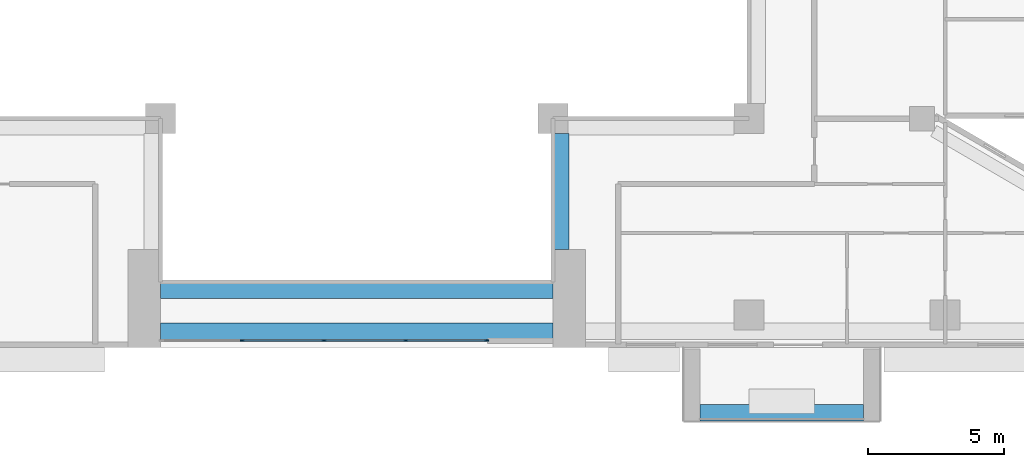
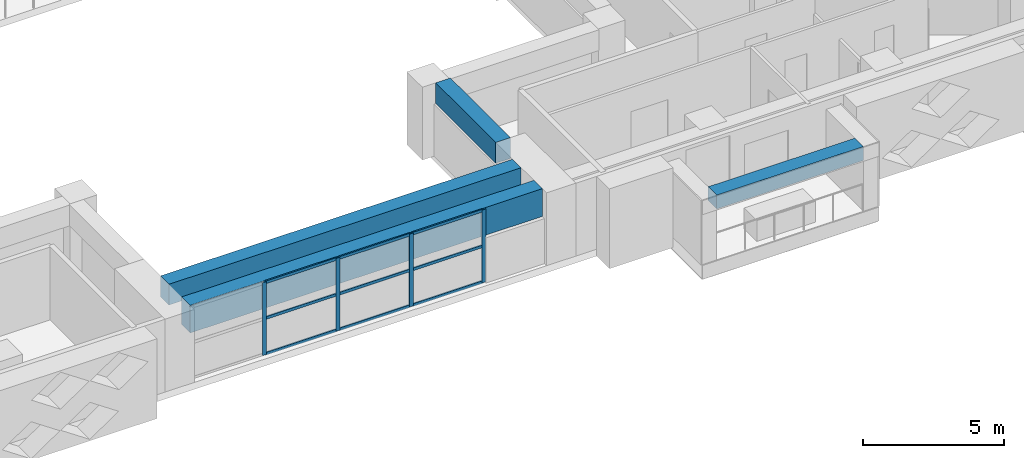
# One storey, part 4 of 19: 13 members, 4 beams, 1 element without a shape of its own.
"""IFC4 building model written with IfcOpenShell, lengths in metres."""

from ifc_helpers import new_model, si_unit, direction, frame, origin, origin_2d, place, context, subcontext, project, spatial, rectangle, extrude, source, transform, mapped, material, layer, layer_set, material_profile, profile_set, type_object, element, aggregate, save


model = new_model("IFC4")

# Units and contexts
model_context = context("Model", 3, precision=1e-05, world=origin(), true_north=direction((0.0, 1.0)))
body_context = subcontext(model_context, "Body", "Model", "MODEL_VIEW")
ifc_project = project(units=[si_unit("LENGTHUNIT", "METRE"), si_unit("AREAUNIT", "SQUARE_METRE"), si_unit("VOLUMEUNIT", "CUBIC_METRE"), si_unit("PLANEANGLEUNIT", "RADIAN"), si_unit("MASSUNIT", "GRAM", prefix="KILO")], contexts=[model_context])

# Site, building, storey
site_placement = place(None, origin())
site = spatial("IfcSite", under=ifc_project, at=site_placement, CompositionType="ELEMENT")
building_placement = place(site_placement, origin())
building = spatial("IfcBuilding", under=site, at=building_placement, Name="Saffron Iwan Residences", CompositionType="ELEMENT")
storey_placement = place(building_placement, frame((0.0, 0.0, 134.0)))
storey = spatial("IfcBuildingStorey", under=building, at=storey_placement, Name="L35", CompositionType="ELEMENT", Elevation=134.0)

# Beams
ifc_material_1 = material(Name="Concrete C50/60", Category="concrete")
ifc_material_profile_1 = material_profile(ifc_material_1, rectangle(XDim=0.60009765625, YDim=1.199951171875, at=origin_2d()), Name="RC 600x1200")
ifc_profile_set_1 = profile_set([ifc_material_profile_1], Name="Concrete C50/60")
beam_type_1 = type_object("IfcBeamType", Name="LINTEL BEAM RC 600x1200 C50/60 TOP 3150", PredefinedType="LINTEL", material=ifc_profile_set_1)
shared_shape_1 = source(origin(), body_context, "Body", "SweptSolid", [
    extrude(rectangle(XDim=0.60009765625, YDim=1.199951171875, at=origin_2d()), origin(), (0.0, 0.0, 1.0), 14.400146484375),
])
beam_1_placement = place(storey_placement, frame((57.60009765625, 40.199951171875, 2.550048828125), z_axis=(-1.0, 0.0, 0.0), x_axis=(0.0, -1.0, 0.0)))
element("IfcBeam", 1, at=beam_1_placement, inside=storey, type_object=beam_type_1, Name="Lintel beam over the iwan", PredefinedType="LINTEL", context=body_context, shape_type="MappedRepresentation", body=[
    mapped(shared_shape_1, transform((0.0, 0.0, 0.0))),
])
ifc_material_profile_2 = material_profile(ifc_material_1, rectangle(XDim=0.60009765625, YDim=0.89990234375, at=origin_2d()), Name="RC 600x900")
ifc_profile_set_2 = profile_set([ifc_material_profile_2], Name="Concrete C50/60")
beam_type_2 = type_object("IfcBeamType", Name="BEAM RC 600x900 C50/60 TOP 3150", PredefinedType="BEAM", material=ifc_profile_set_2)
shared_shape_2 = source(origin(), body_context, "Body", "SweptSolid", [
    extrude(rectangle(XDim=0.60009765625, YDim=0.89990234375, at=origin_2d()), origin(), (0.0, 0.0, 1.0), 14.400146484375),
])
beam_2_placement = place(storey_placement, frame((57.60009765625, 41.699951171875, 2.699951171875), z_axis=(-1.0, 0.0, 0.0), x_axis=(0.0, -1.0, 0.0)))
element("IfcBeam", 2, at=beam_2_placement, inside=storey, type_object=beam_type_2, Name="Atrium edge beam", PredefinedType="BEAM", context=body_context, shape_type="MappedRepresentation", body=[
    mapped(shared_shape_2, transform((0.0, 0.0, 0.0))),
])
shared_shape_3 = source(origin(), body_context, "Body", "SweptSolid", [
    extrude(rectangle(XDim=0.60009765625, YDim=0.89990234375, at=origin_2d()), origin(), (0.0, 0.0, 1.0), 4.25),
])
beam_3_placement = place(storey_placement, frame((57.89990234375, 47.449951171875, 2.699951171875), z_axis=(0.0, -1.0, 0.0), x_axis=(1.0, 0.0, 0.0)))
element("IfcBeam", 3, at=beam_3_placement, inside=storey, type_object=beam_type_2, Name="Atrium edge beam", PredefinedType="BEAM", context=body_context, shape_type="MappedRepresentation", body=[
    mapped(shared_shape_3, transform((0.0, 0.0, 0.0))),
])

# Curtain wall, members
ifc_material_2 = material(Name="Clear glass, laminated double glazed", Category="glass")
ifc_layer = layer(ifc_material_2, 0.199951171875)
ifc_layer_set = layer_set([ifc_layer], Name="Clear glass, laminated double glazed")
curtain_wall_type = type_object("IfcCurtainWallType", Name="CW-B IWAN PORTAL", PredefinedType="NOTDEFINED", material=ifc_layer_set)
curtain_wall_placement = place(storey_placement, origin())
curtain_wall = element("IfcCurtainWall", 4, at=curtain_wall_placement, inside=storey, type_object=curtain_wall_type, Name="Iwan portal glazing L35.1", PredefinedType="NOTDEFINED")
ifc_material_3 = material(Name="Aluminium 6063-T6", Category="aluminium")
ifc_material_profile_3 = material_profile(ifc_material_3, rectangle(XDim=0.06005859375, YDim=0.1201171875, at=origin_2d()), Name="CW-B TRANSOM 60 x 120")
ifc_profile_set_3 = profile_set([ifc_material_profile_3], Name="Aluminium 6063-T6")
member_type_1 = type_object("IfcMemberType", Name="CW-B TRANSOM 60 x 120", PredefinedType="USERDEFINED", material=ifc_profile_set_3)
shared_shape_4 = source(origin(), body_context, "Body", "SweptSolid", [
    extrude(rectangle(XDim=0.06005859375, YDim=0.1201171875, at=origin_2d()), origin(), (0.0, 0.0, 1.0), 2.909912109375),
])
member_1_placement = place(storey_placement, frame((52.22998046875, 39.85009765625, 0.030029296875), z_axis=(1.0, 0.0, 0.0), x_axis=(0.0, 1.0, 0.0)))
member_1 = element("IfcMember", 5, at=member_1_placement, type_object=member_type_1, Name="CW-B transom 4.1", ObjectType="TRANSOM", PredefinedType="USERDEFINED", context=body_context, shape_type="MappedRepresentation", body=[
    mapped(shared_shape_4, transform((0.0, 0.0, 0.0))),
])
member_2_placement = place(storey_placement, frame((52.22998046875, 39.85009765625, 1.574951171875), z_axis=(1.0, 0.0, 0.0), x_axis=(0.0, 1.0, 0.0)))
member_2 = element("IfcMember", 6, at=member_2_placement, type_object=member_type_1, Name="CW-B transom 4.2", ObjectType="TRANSOM", PredefinedType="USERDEFINED", context=body_context, shape_type="MappedRepresentation", body=[
    mapped(shared_shape_4, transform((0.0, 0.0, 0.0))),
])
member_3_placement = place(storey_placement, frame((52.22998046875, 39.85009765625, 3.1201171875), z_axis=(1.0, 0.0, 0.0), x_axis=(0.0, 1.0, 0.0)))
member_3 = element("IfcMember", 7, at=member_3_placement, type_object=member_type_1, Name="CW-B transom 4.3", ObjectType="TRANSOM", PredefinedType="USERDEFINED", context=body_context, shape_type="MappedRepresentation", body=[
    mapped(shared_shape_4, transform((0.0, 0.0, 0.0))),
])
shared_shape_5 = source(origin(), body_context, "Body", "SweptSolid", [
    extrude(rectangle(XDim=0.06005859375, YDim=0.1201171875, at=origin_2d()), origin(), (0.0, 0.0, 1.0), 2.93994140625),
])
member_4_placement = place(storey_placement, frame((46.22998046875, 39.85009765625, 0.030029296875), z_axis=(1.0, 0.0, 0.0), x_axis=(0.0, 1.0, 0.0)))
member_4 = element("IfcMember", 8, at=member_4_placement, type_object=member_type_1, Name="CW-B transom 2.1", ObjectType="TRANSOM", PredefinedType="USERDEFINED", context=body_context, shape_type="MappedRepresentation", body=[
    mapped(shared_shape_5, transform((0.0, 0.0, 0.0))),
])
member_5_placement = place(storey_placement, frame((46.22998046875, 39.85009765625, 1.574951171875), z_axis=(1.0, 0.0, 0.0), x_axis=(0.0, 1.0, 0.0)))
member_5 = element("IfcMember", 9, at=member_5_placement, type_object=member_type_1, Name="CW-B transom 2.2", ObjectType="TRANSOM", PredefinedType="USERDEFINED", context=body_context, shape_type="MappedRepresentation", body=[
    mapped(shared_shape_5, transform((0.0, 0.0, 0.0))),
])
member_6_placement = place(storey_placement, frame((46.22998046875, 39.85009765625, 3.1201171875), z_axis=(1.0, 0.0, 0.0), x_axis=(0.0, 1.0, 0.0)))
member_6 = element("IfcMember", 10, at=member_6_placement, type_object=member_type_1, Name="CW-B transom 2.3", ObjectType="TRANSOM", PredefinedType="USERDEFINED", context=body_context, shape_type="MappedRepresentation", body=[
    mapped(shared_shape_5, transform((0.0, 0.0, 0.0))),
])
member_7_placement = place(storey_placement, frame((49.22998046875, 39.85009765625, 0.030029296875), z_axis=(1.0, 0.0, 0.0), x_axis=(0.0, 1.0, 0.0)))
member_7 = element("IfcMember", 11, at=member_7_placement, type_object=member_type_1, Name="CW-B transom 3.1", ObjectType="TRANSOM", PredefinedType="USERDEFINED", context=body_context, shape_type="MappedRepresentation", body=[
    mapped(shared_shape_5, transform((0.0, 0.0, 0.0))),
])
member_8_placement = place(storey_placement, frame((49.22998046875, 39.85009765625, 1.574951171875), z_axis=(1.0, 0.0, 0.0), x_axis=(0.0, 1.0, 0.0)))
member_8 = element("IfcMember", 12, at=member_8_placement, type_object=member_type_1, Name="CW-B transom 3.2", ObjectType="TRANSOM", PredefinedType="USERDEFINED", context=body_context, shape_type="MappedRepresentation", body=[
    mapped(shared_shape_5, transform((0.0, 0.0, 0.0))),
])
member_9_placement = place(storey_placement, frame((49.22998046875, 39.85009765625, 3.1201171875), z_axis=(1.0, 0.0, 0.0), x_axis=(0.0, 1.0, 0.0)))
member_9 = element("IfcMember", 13, at=member_9_placement, type_object=member_type_1, Name="CW-B transom 3.3", ObjectType="TRANSOM", PredefinedType="USERDEFINED", context=body_context, shape_type="MappedRepresentation", body=[
    mapped(shared_shape_5, transform((0.0, 0.0, 0.0))),
])

# Beam
ifc_material_4 = material(Name="Concrete C50/60 white painted", Category="concrete")
ifc_material_profile_4 = material_profile(ifc_material_4, rectangle(XDim=0.60009765625, YDim=0.60009765625, at=origin_2d()), Name="BALCONY FASCIA BEAM 600 x 600")
ifc_profile_set_4 = profile_set([ifc_material_profile_4], Name="Concrete C50/60 white painted")
beam_type_3 = type_object("IfcBeamType", Name="BALCONY FASCIA BEAM 600 x 600", PredefinedType="BEAM", material=ifc_profile_set_4)
shared_shape_6 = source(origin(), body_context, "Body", "SweptSolid", [
    extrude(rectangle(XDim=0.60009765625, YDim=0.60009765625, at=origin_2d()), origin(), (0.0, 0.0, 1.0), 6.0),
])
beam_4_placement = place(storey_placement, frame((63.0, 37.199951171875, 2.5), z_axis=(1.0, 0.0, 0.0), x_axis=(0.0, 1.0, 0.0)))
element("IfcBeam", 14, at=beam_4_placement, inside=storey, type_object=beam_type_3, Name="Balcony fascia beam L35 11-2", PredefinedType="BEAM", context=body_context, shape_type="MappedRepresentation", body=[
    mapped(shared_shape_6, transform((0.0, 0.0, 0.0))),
])

# Member
ifc_material_profile_5 = material_profile(ifc_material_3, rectangle(XDim=0.06005859375, YDim=0.159912109375, at=origin_2d()), Name="CW-B MULLION 60 x 160")
ifc_profile_set_5 = profile_set([ifc_material_profile_5], Name="Aluminium 6063-T6")
member_type_2 = type_object("IfcMemberType", Name="CW-B MULLION 60 x 160", PredefinedType="MULLION", material=ifc_profile_set_5)
shared_shape_7 = source(origin(), body_context, "Body", "SweptSolid", [
    extrude(rectangle(XDim=0.06005859375, YDim=0.159912109375, at=origin_2d()), origin(), (0.0, 0.0, 1.0), 3.14990234375),
])
member_10_placement = place(storey_placement, frame((46.199951171875, 39.85009765625, 0.0), z_axis=(0.0, 0.0, 1.0), x_axis=(0.0, 1.0, 0.0)))
member_10 = element("IfcMember", 15, at=member_10_placement, type_object=member_type_2, Name="CW-B mullion 2", PredefinedType="MULLION", context=body_context, shape_type="MappedRepresentation", body=[
    mapped(shared_shape_7, transform((0.0, 0.0, 0.0))),
])

member_11_placement = place(storey_placement, frame((49.199951171875, 39.85009765625, 0.0), z_axis=(0.0, 0.0, 1.0), x_axis=(0.0, 1.0, 0.0)))
member_11 = element("IfcMember", 16, at=member_11_placement, type_object=member_type_2, Name="CW-B mullion 3", PredefinedType="MULLION", context=body_context, shape_type="MappedRepresentation", body=[
    mapped(shared_shape_7, transform((0.0, 0.0, 0.0))),
])

member_12_placement = place(storey_placement, frame((52.199951171875, 39.85009765625, 0.0), z_axis=(0.0, 0.0, 1.0), x_axis=(0.0, 1.0, 0.0)))
member_12 = element("IfcMember", 17, at=member_12_placement, type_object=member_type_2, Name="CW-B mullion 4", PredefinedType="MULLION", context=body_context, shape_type="MappedRepresentation", body=[
    mapped(shared_shape_7, transform((0.0, 0.0, 0.0))),
])

member_13_placement = place(storey_placement, frame((55.169921875, 39.85009765625, 0.0), z_axis=(0.0, 0.0, 1.0), x_axis=(0.0, 1.0, 0.0)))
member_13 = element("IfcMember", 18, at=member_13_placement, type_object=member_type_2, Name="CW-B mullion 5", PredefinedType="MULLION", context=body_context, shape_type="MappedRepresentation", body=[
    mapped(shared_shape_7, transform((0.0, 0.0, 0.0))),
])

aggregate(curtain_wall, [member_10, member_11, member_12, member_13, member_4, member_5, member_6, member_7, member_8, member_9, member_1, member_2, member_3])

save(model, "model.ifc")
